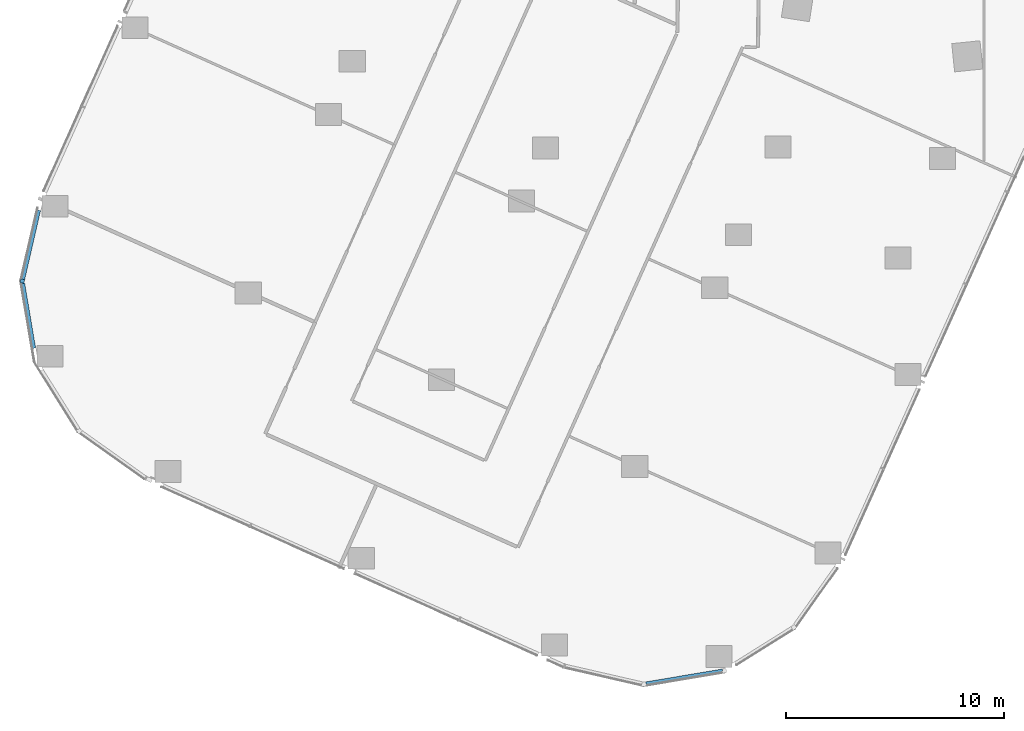
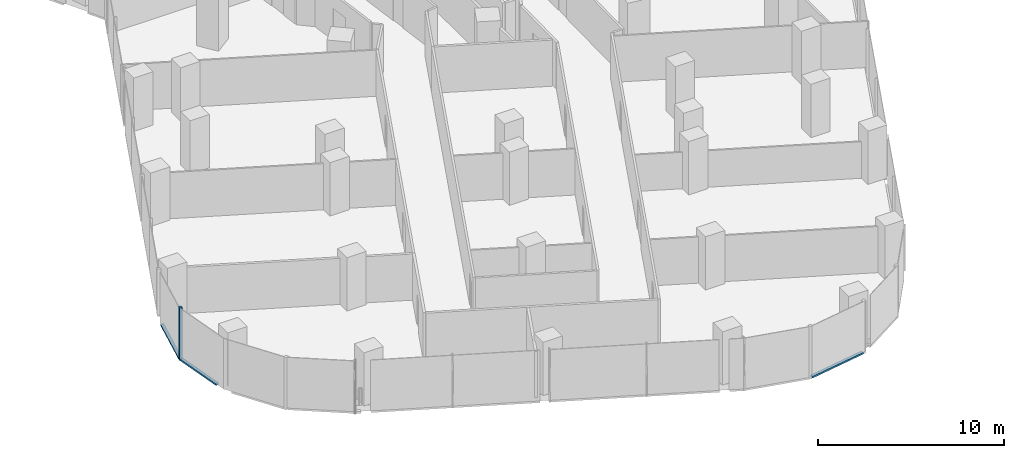
# One storey, part 3 of 34: 4 members, 3 elements without a shape of their own.
"""IFC4 building model written with IfcOpenShell, lengths in metres."""

from ifc_helpers import new_model, si_unit, direction, frame, origin, origin_2d, place, context, subcontext, project, spatial, rectangle, extrude, material, material_profile, profile_set, type_object, element, aggregate, save


model = new_model("IFC4")

# Units and contexts
model_context = context("Model", 3, precision=1e-05, world=origin(), true_north=direction((0.0, 1.0)))
body_context = subcontext(model_context, "Body", "Model", "MODEL_VIEW")
ifc_project = project(units=[si_unit("LENGTHUNIT", "METRE"), si_unit("AREAUNIT", "SQUARE_METRE"), si_unit("VOLUMEUNIT", "CUBIC_METRE"), si_unit("PLANEANGLEUNIT", "RADIAN"), si_unit("MASSUNIT", "GRAM", prefix="KILO")], contexts=[model_context])

# Site, building, storey
site_placement = place(None, origin())
site = spatial("IfcSite", under=ifc_project, at=site_placement, CompositionType="ELEMENT")
building_placement = place(site_placement, origin())
building = spatial("IfcBuilding", under=site, at=building_placement, Name="Orlundy Tower", CompositionType="ELEMENT")
storey_placement = place(building_placement, frame((0.0, 0.0, 134.199951171875)))
storey = spatial("IfcBuildingStorey", under=building, at=storey_placement, Name="L34", CompositionType="ELEMENT", Elevation=134.199951171875)

# Curtain wall, member
ifc_material_1 = material(Name="Aluminium bronze anodised", Category="aluminium")
curtain_wall_type = type_object("IfcCurtainWallType", Name="CW1 wall", PredefinedType="NOTDEFINED", material=ifc_material_1)
curtain_wall_1_placement = place(storey_placement, origin())
curtain_wall_1 = element("IfcCurtainWall", 1, at=curtain_wall_1_placement, inside=storey, type_object=curtain_wall_type, Name="CW1 run 027", PredefinedType="NOTDEFINED")
ifc_material_2 = material(Name="Aluminium bronze anodised", Category="aluminium")
ifc_material_profile_1 = material_profile(ifc_material_2, rectangle(XDim=0.179931640625, YDim=0.179931640625, at=origin_2d()), Name="CW1 corner post 180x180")
ifc_profile_set_1 = profile_set([ifc_material_profile_1], Name="Aluminium bronze anodised")
member_type_1 = type_object("IfcMemberType", Name="CW1 corner post 180x180", PredefinedType="MULLION", material=ifc_profile_set_1)
member_1_placement = place(storey_placement, frame((-40.046630859375, -41.952392578125, -0.39990234375), z_axis=(0.0, 0.0, 1.0), x_axis=(-0.974672322571, 0.223637795584, 0.0)))
member_1 = element("IfcMember", 2, at=member_1_placement, type_object=member_type_1, Name="CW1 mullion 68", PredefinedType="MULLION", context=body_context, shape_type="SweptSolid", body=[
    extrude(rectangle(XDim=0.179931640625, YDim=0.179931640625, at=origin_2d()), origin(), (0.0, 0.0, 1.0), 3.449951171875),
])

curtain_wall_2_placement = place(storey_placement, origin())
curtain_wall_2 = element("IfcCurtainWall", 3, at=curtain_wall_2_placement, inside=storey, type_object=curtain_wall_type, Name="CW1 run 021", PredefinedType="NOTDEFINED")
ifc_material_3 = material(Name="Aluminium bronze anodised", Category="aluminium")
ifc_material_profile_2 = material_profile(ifc_material_3, rectangle(XDim=0.179931640625, YDim=0.1201171875, at=origin_2d()), Name="CW1 transom 180x120")
ifc_profile_set_2 = profile_set([ifc_material_profile_2], Name="Aluminium bronze anodised")
member_type_2 = type_object("IfcMemberType", Name="CW1 transom 180x120", PredefinedType="USERDEFINED", material=ifc_profile_set_2)
member_2_placement = place(storey_placement, frame((-7.97705078125, -59.808837890625, -0.33984375), z_axis=(-0.986059686248, -0.166391992463, 0.0), x_axis=(0.166391992463, -0.986059686248, 0.0)))
member_2 = element("IfcMember", 4, at=member_2_placement, type_object=member_type_2, Name="CW1 transom", ObjectType="TRANSOM", PredefinedType="USERDEFINED", context=body_context, shape_type="SweptSolid", body=[
    extrude(rectangle(XDim=0.179931640625, YDim=0.1201171875, at=origin_2d()), origin(), (0.0, 0.0, 1.0), 3.55517578125),
])
aggregate(curtain_wall_2, [member_2])

curtain_wall_3_placement = place(storey_placement, origin())
curtain_wall_3 = element("IfcCurtainWall", 5, at=curtain_wall_3_placement, inside=storey, type_object=curtain_wall_type, Name="CW1 run 026", PredefinedType="NOTDEFINED")
member_3_placement = place(storey_placement, frame((-39.527099609375, -45.031005859375, -0.33984375), z_axis=(-0.166427336794, 0.986053721441, 0.0), x_axis=(-0.986053721441, -0.166427336794, 0.0)))
member_3 = element("IfcMember", 6, at=member_3_placement, type_object=member_type_2, Name="CW1 transom", ObjectType="TRANSOM", PredefinedType="USERDEFINED", context=body_context, shape_type="SweptSolid", body=[
    extrude(rectangle(XDim=0.179931640625, YDim=0.1201171875, at=origin_2d()), origin(), (0.0, 0.0, 1.0), 3.02490234375),
])
aggregate(curtain_wall_3, [member_3])

# Member
member_4_placement = place(storey_placement, frame((-40.026611328125, -41.864501953125, -0.33984375), z_axis=(0.223633818771, 0.974673235039, 0.0), x_axis=(-0.974673235039, 0.223633818771, 0.0)))
member_4 = element("IfcMember", 7, at=member_4_placement, type_object=member_type_2, Name="CW1 transom", ObjectType="TRANSOM", PredefinedType="USERDEFINED", context=body_context, shape_type="SweptSolid", body=[
    extrude(rectangle(XDim=0.179931640625, YDim=0.1201171875, at=origin_2d()), origin(), (0.0, 0.0, 1.0), 3.24462890625),
])

aggregate(curtain_wall_1, [member_1, member_4])

save(model, "model.ifc")
